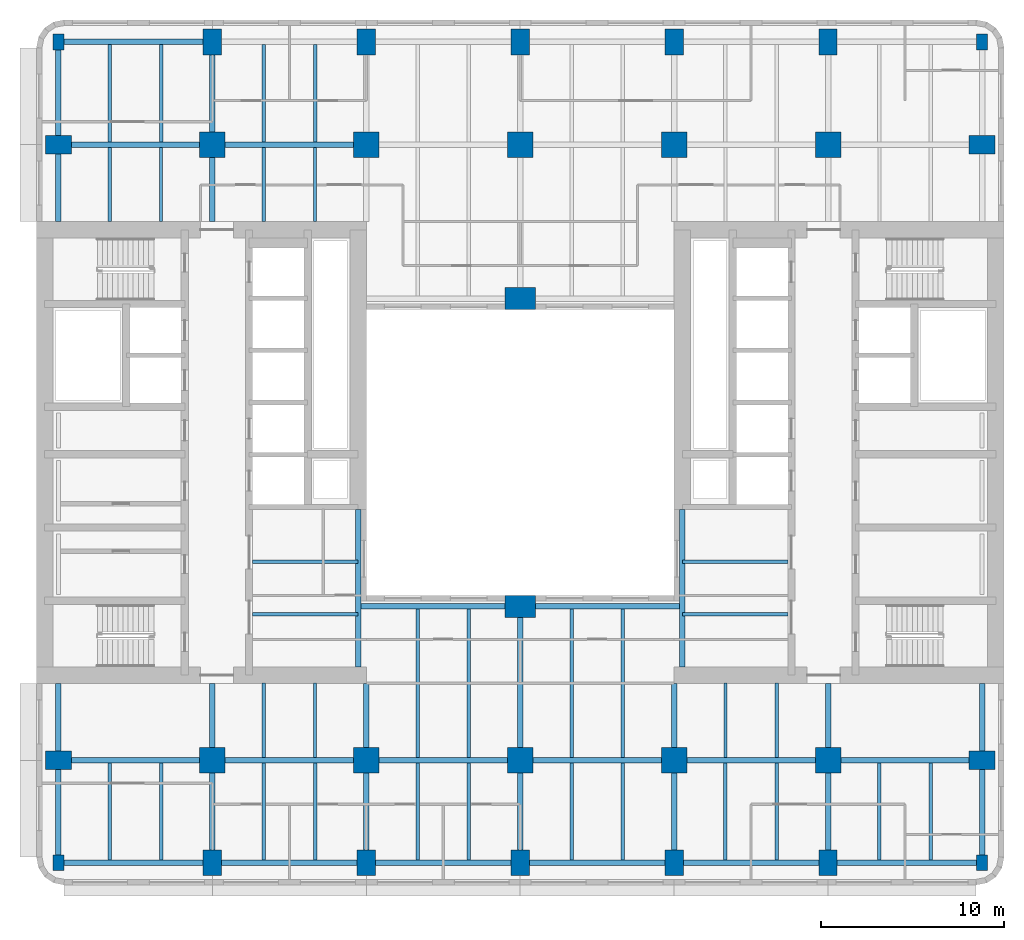
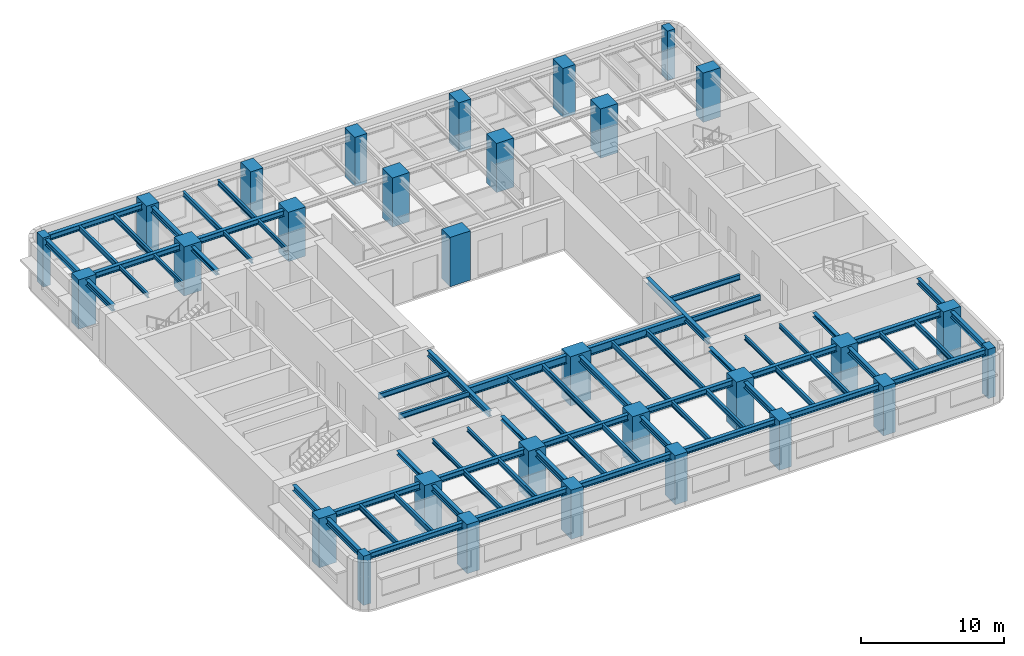
# One storey, part 1 of 11: 69 beams, 30 columns.
"""IFC4 building model written with IfcOpenShell, lengths in metres."""

import ifcopenshell
import ifcopenshell.guid

model = None  # the IFC model being written
_history = None  # IfcOwnerHistory: only IFC2X3 demands one
_inside = {}  # id of a spatial element -> (the spatial element, [elements in it])
_under = {}  # id of a project, library or spatial element -> (it, [spatial elements below it])
_declared = {}  # id of a project -> (the project, [libraries it declares])
_typed = {}  # id of a type object -> (the type object, [elements of that type])
_made_of = {}  # id of a material, layer set ... -> (it, [elements and type objects made of it])


def new_model(schema):
    """Start an empty IFC model of exactly this schema.

    Asked for "IFC4X3", IfcOpenShell would pick the latest addendum, in which some entities
    have other attributes; the version numbers below select the first issue.
    IFC2X3 requires an IfcOwnerHistory on every rooted entity: one is made here for all.
    """
    global model, _history
    if schema == "IFC4X3":
        model = ifcopenshell.file(schema_version=(4, 3, 0, 0))
    else:
        model = ifcopenshell.file(schema=schema)
    _inside.clear()
    _under.clear()
    _declared.clear()
    _typed.clear()
    _made_of.clear()
    _history = None
    if model.schema == "IFC2X3":
        org = make("IfcOrganization", Name="unknown")
        user = make(
            "IfcPersonAndOrganization",
            ThePerson=make("IfcPerson", FamilyName="unknown"),
            TheOrganization=org,
        )
        app = make(
            "IfcApplication",
            ApplicationDeveloper=org,
            Version="unknown",
            ApplicationFullName="unknown",
            ApplicationIdentifier="unknown",
        )
        _history = make(
            "IfcOwnerHistory",
            OwningUser=user,
            OwningApplication=app,
            ChangeAction="ADDED",
            CreationDate=0,
        )
    return model


def make(cls, **values):
    """One entity of the class cls with the attributes given. An attribute that is None is left unset."""
    return model.create_entity(
        cls, **{name: value for name, value in values.items() if value is not None}
    )


def rooted(cls, **values):
    """An entity with a GlobalId (a new one), such as an element, a storey or a relation."""
    return make(cls, GlobalId=ifcopenshell.guid.new(), OwnerHistory=_history, **values)


def si_unit(unit_type, name, prefix=None):
    """IfcSIUnit, for example si_unit("LENGTHUNIT", "METRE", prefix="MILLI")."""
    return make("IfcSIUnit", UnitType=unit_type, Prefix=prefix, Name=name)


def assignment(units):
    """IfcUnitAssignment: the units of a project."""
    return None if units is None else make("IfcUnitAssignment", Units=units)


def point(xyz):
    """IfcCartesianPoint."""
    return None if xyz is None else make("IfcCartesianPoint", Coordinates=xyz)


def direction(xyz):
    """IfcDirection."""
    return None if xyz is None else make("IfcDirection", DirectionRatios=xyz)


def frame(location, z_axis=None, x_axis=None):
    """IfcAxis2Placement3D, a coordinate frame: its origin and axes. An axis left out is left unset."""
    return make(
        "IfcAxis2Placement3D",
        Location=point(location),
        Axis=direction(z_axis),
        RefDirection=direction(x_axis),
    )


def frame_2d(location, x_axis=None):
    """IfcAxis2Placement2D, a coordinate frame in the plane: its origin and x axis."""
    return make(
        "IfcAxis2Placement2D", Location=point(location), RefDirection=direction(x_axis)
    )


def origin():
    """The frame at (0, 0, 0) with its axes left unset."""
    return frame((0.0, 0.0, 0.0))


def origin_2d():
    """The frame at (0, 0) in the plane with its x axis left unset."""
    return frame_2d((0.0, 0.0))


def place(relative_to, where):
    """IfcLocalPlacement: puts the frame where relative to a parent placement (None: the world)."""
    return make(
        "IfcLocalPlacement", PlacementRelTo=relative_to, RelativePlacement=where
    )


def context(
    kind, dimensions, precision=None, world=None, true_north=None, identifier=None
):
    """IfcGeometricRepresentationContext, for example the 3D "Model" context."""
    return make(
        "IfcGeometricRepresentationContext",
        ContextIdentifier=identifier,
        ContextType=kind,
        CoordinateSpaceDimension=dimensions,
        Precision=precision,
        WorldCoordinateSystem=world,
        TrueNorth=true_north,
    )


def subcontext(parent, identifier, kind, view, scale=None):
    """IfcGeometricRepresentationSubContext, for example "Body" below "Model"."""
    return make(
        "IfcGeometricRepresentationSubContext",
        ContextIdentifier=identifier,
        ContextType=kind,
        ParentContext=parent,
        TargetScale=scale,
        TargetView=view,
    )


def project(units=None, contexts=None):
    """IfcProject with its units and contexts."""
    return rooted(
        "IfcProject",
        Name="project",
        RepresentationContexts=contexts,
        UnitsInContext=assignment(units),
    )


def spatial(cls, under=None, at=None, **own):
    """A site, building, storey or space (cls), placed at a placement, below another one or the project."""
    s = rooted(cls, ObjectPlacement=at, **own)
    if under is not None:
        _under.setdefault(under.id(), (under, []))[1].append(s)
    return s


def profile(cls, at=None, kind="AREA", **sizes):
    """A parametric profile (cls). Its sizes go by their IFC names, for example OverallWidth=200.0."""
    return make(cls, ProfileType=kind, Position=at, **sizes)


def rectangle(**sizes):
    """IfcRectangleProfileDef."""
    return profile("IfcRectangleProfileDef", **sizes)


def i_section(**sizes):
    """IfcIShapeProfileDef."""
    return profile("IfcIShapeProfileDef", **sizes)


def extrude(swept, where, along, depth):
    """IfcExtrudedAreaSolid: the profile swept, set in the frame where, extruded along a direction by depth."""
    return make(
        "IfcExtrudedAreaSolid",
        SweptArea=swept,
        Position=where,
        ExtrudedDirection=direction(along),
        Depth=depth,
    )


def shape(context_of_items, identifier, shape_type, items):
    """IfcShapeRepresentation: the items that make up one representation, for example the "Body"."""
    return make(
        "IfcShapeRepresentation",
        ContextOfItems=context_of_items,
        RepresentationIdentifier=identifier,
        RepresentationType=shape_type,
        Items=items,
    )


def material(Name=None, Category=None):
    """IfcMaterial."""
    return make("IfcMaterial", Name=Name, Category=Category)


def material_profile(
    of_material, cross_section, Name=None, Category=None, Priority=None
):
    """IfcMaterialProfile: a cross section and its material."""
    return make(
        "IfcMaterialProfile",
        Name=Name,
        Material=of_material,
        Profile=cross_section,
        Priority=Priority,
        Category=Category,
    )


def profile_set(profiles, Name=None, composite=None):
    """IfcMaterialProfileSet."""
    return make(
        "IfcMaterialProfileSet",
        Name=Name,
        MaterialProfiles=profiles,
        CompositeProfile=composite,
    )


def made_of(thing, what):
    """Note that an element or type object is made of a material, layer set ...; save() writes the relation."""
    if what is not None:
        _made_of.setdefault(what.id(), (what, []))[1].append(thing)
    return thing


def type_object(cls, material=None, **own):
    """A type object (cls), such as IfcWallType, which elements share."""
    return made_of(rooted(cls, **own), material)


def element(
    cls,
    number,
    at=None,
    inside=None,
    cuts=None,
    type_object=None,
    material=None,
    context=None,
    identifier="Body",
    shape_type=None,
    held_by="IfcProductDefinitionShape",
    body=None,
    shapes=None,
    **own,
):
    """One element of the class cls, such as IfcWall. Its Tag is "e" and its number.

    at: its placement. inside: the storey or other place that contains it. cuts: it is an
    opening in that element (IfcRelVoidsElement). A single representation is given by context,
    identifier, shape_type and body (its items); several are given by shapes. held_by: the class
    of the entity that holds the representations. save() writes the other relations.
    """
    e = rooted(cls, Tag="e%d" % number, ObjectPlacement=at, **own)
    if body is not None:
        shapes = [shape(context, identifier, shape_type, body)]
    if shapes is not None:
        e.Representation = make(held_by, Representations=shapes)
    if inside is not None:
        _inside.setdefault(inside.id(), (inside, []))[1].append(e)
    if cuts is not None:
        rooted(
            "IfcRelVoidsElement", RelatingBuildingElement=cuts, RelatedOpeningElement=e
        )
    if type_object is not None:
        _typed.setdefault(type_object.id(), (type_object, []))[1].append(e)
    return made_of(e, material)


def aggregate(whole, parts):
    """IfcRelAggregates: a whole, such as a stair, and the parts it consists of."""
    return rooted("IfcRelAggregates", RelatingObject=whole, RelatedObjects=parts)


def save(model, path):
    """Write the relations noted so far, then the file.

    IfcRelAggregates (storeys below a building ...), IfcRelContainedInSpatialStructure (elements
    in a storey), IfcRelDefinesByType, IfcRelAssociatesMaterial and IfcRelDeclares: one each for
    every whole, place, type object, material and project.
    """
    for whole, parts in _under.values():
        aggregate(whole, parts)
    for where, things in _inside.values():
        rooted(
            "IfcRelContainedInSpatialStructure",
            RelatedElements=things,
            RelatingStructure=where,
        )
    for kind, things in _typed.values():
        rooted("IfcRelDefinesByType", RelatedObjects=things, RelatingType=kind)
    for what, things in _made_of.values():
        rooted("IfcRelAssociatesMaterial", RelatedObjects=things, RelatingMaterial=what)
    for by, libraries in _declared.values():
        rooted("IfcRelDeclares", RelatingContext=by, RelatedDefinitions=libraries)
    model.write(path)


model = new_model("IFC4")

# Units and contexts
model_context = context("Model", 3, precision=1e-05, world=origin(), true_north=direction((0.0, 1.0)))
body_context = subcontext(model_context, "Body", "Model", "MODEL_VIEW")
ifc_project = project(units=[si_unit("LENGTHUNIT", "METRE"), si_unit("AREAUNIT", "SQUARE_METRE"), si_unit("VOLUMEUNIT", "CUBIC_METRE"), si_unit("PLANEANGLEUNIT", "RADIAN"), si_unit("MASSUNIT", "GRAM", prefix="KILO")], contexts=[model_context])

# Site, building, storey
site_placement = place(None, origin())
site = spatial("IfcSite", under=ifc_project, at=site_placement, CompositionType="ELEMENT")
building_placement = place(site_placement, origin())
building = spatial("IfcBuilding", under=site, at=building_placement, Name="Claustro Exchange Tower", CompositionType="ELEMENT")
storey_placement = place(building_placement, frame((0.0, 0.0, 121.800048828125)))
storey = spatial("IfcBuildingStorey", under=building, at=storey_placement, Name="L27", CompositionType="ELEMENT", Elevation=121.800048828125)

# Columns
ifc_material_1 = material(Name="Concrete HA-70 (C70/85)", Category="concrete")
ifc_material_profile_1 = material_profile(ifc_material_1, rectangle(XDim=1.39990234375, YDim=1.39990234375, at=origin_2d()), Name="RC 1400x1400")
ifc_profile_set_1 = profile_set([ifc_material_profile_1], Name="Concrete HA-70 (C70/85)")
column_type_1 = type_object("IfcColumnType", Name="C0 RC 1400x1400 HA-70 column", PredefinedType="COLUMN", material=ifc_profile_set_1)
for number, where, z_axis, x_axis, name in (
    (1, (8.39990234375, 8.39990234375, 0.0), (0.0, 0.0, 1.0), (1.0, 0.0, 0.0), "Column C0 2/B L27"),
    (2, (8.39990234375, 42.0, 0.0), (0.0, 0.0, 1.0), (1.0, 0.0, 0.0), "Column C0 2/F L27"),
    (3, (16.800048828125, 8.39990234375, 0.0), (0.0, 0.0, 1.0), (1.0, 0.0, 0.0), "Column C0 3/B L27"),
    (4, (16.800048828125, 42.0, 0.0), (0.0, 0.0, 1.0), (1.0, 0.0, 0.0), "Column C0 3/F L27"),
    (5, (25.199951171875, 8.39990234375, 0.0), (0.0, 0.0, 1.0), (1.0, 0.0, 0.0), "Column C0 4/B L27"),
    (6, (25.199951171875, 42.0, 0.0), (0.0, 0.0, 1.0), (1.0, 0.0, 0.0), "Column C0 4/F L27"),
    (7, (33.60009765625, 8.39990234375, 0.0), (0.0, 0.0, 1.0), (1.0, 0.0, 0.0), "Column C0 5/B L27"),
    (8, (33.60009765625, 42.0, 0.0), (0.0, 0.0, 1.0), (1.0, 0.0, 0.0), "Column C0 5/F L27"),
    (9, (42.0, 8.39990234375, 0.0), (0.0, 0.0, 1.0), (1.0, 0.0, 0.0), "Column C0 6/B L27"),
    (10, (42.0, 42.0, 0.0), (0.0, 0.0, 1.0), (1.0, 0.0, 0.0), "Column C0 6/F L27"),
):
    element("IfcColumn", number, at=place(storey_placement, frame(where, z_axis=z_axis, x_axis=x_axis)), inside=storey, type_object=column_type_1, Name=name, PredefinedType="COLUMN", context=body_context, shape_type="SweptSolid", body=[
        extrude(rectangle(XDim=1.39990234375, YDim=1.39990234375, at=origin_2d()), origin(), (0.0, 0.0, 1.0), 4.199951171875),
    ])
ifc_material_2 = material(Name="Concrete HA-70 (C70/85)", Category="concrete")
ifc_material_profile_2 = material_profile(ifc_material_2, rectangle(XDim=1.0, YDim=1.39990234375, at=origin_2d()), Name="RC 1000x1400")
ifc_profile_set_2 = profile_set([ifc_material_profile_2], Name="Concrete HA-70 (C70/85)")
column_type_2 = type_object("IfcColumnType", Name="C22 RC 1000x1400 HA-70 perimeter column", PredefinedType="COLUMN", material=ifc_profile_set_2)
for number, where, z_axis, x_axis, name in (
    (11, (0.0, 8.39990234375, 0.0), (0.0, 0.0, 1.0), (0.0, 1.0, 0.0), "Column C22 1/B L27"),
    (12, (0.0, 42.0, 0.0), (0.0, 0.0, 1.0), (0.0, 1.0, 0.0), "Column C22 1/F L27"),
    (13, (8.39990234375, 2.800048828125, 0.0), (0.0, 0.0, 1.0), (1.0, 0.0, 0.0), "Column C22 2/A+2800 L27"),
    (14, (8.39990234375, 47.60009765625, 0.0), (0.0, 0.0, 1.0), (1.0, 0.0, 0.0), "Column C22 2/F+5600 L27"),
    (15, (16.800048828125, 2.800048828125, 0.0), (0.0, 0.0, 1.0), (1.0, 0.0, 0.0), "Column C22 3/A+2800 L27"),
    (16, (16.800048828125, 47.60009765625, 0.0), (0.0, 0.0, 1.0), (1.0, 0.0, 0.0), "Column C22 3/F+5600 L27"),
    (17, (25.199951171875, 2.800048828125, 0.0), (0.0, 0.0, 1.0), (1.0, 0.0, 0.0), "Column C22 4/A+2800 L27"),
    (18, (25.199951171875, 47.60009765625, 0.0), (0.0, 0.0, 1.0), (1.0, 0.0, 0.0), "Column C22 4/F+5600 L27"),
    (19, (33.60009765625, 2.800048828125, 0.0), (0.0, 0.0, 1.0), (1.0, 0.0, 0.0), "Column C22 5/A+2800 L27"),
    (20, (33.60009765625, 47.60009765625, 0.0), (0.0, 0.0, 1.0), (1.0, 0.0, 0.0), "Column C22 5/F+5600 L27"),
    (21, (42.0, 2.800048828125, 0.0), (0.0, 0.0, 1.0), (1.0, 0.0, 0.0), "Column C22 6/A+2800 L27"),
    (22, (42.0, 47.60009765625, 0.0), (0.0, 0.0, 1.0), (1.0, 0.0, 0.0), "Column C22 6/F+5600 L27"),
    (23, (50.39990234375, 8.39990234375, 0.0), (0.0, 0.0, 1.0), (0.0, 1.0, 0.0), "Column C22 7/B L27"),
    (24, (50.39990234375, 42.0, 0.0), (0.0, 0.0, 1.0), (0.0, 1.0, 0.0), "Column C22 7/F L27"),
):
    element("IfcColumn", number, at=place(storey_placement, frame(where, z_axis=z_axis, x_axis=x_axis)), inside=storey, type_object=column_type_2, Name=name, PredefinedType="COLUMN", context=body_context, shape_type="SweptSolid", body=[
        extrude(rectangle(XDim=1.0, YDim=1.39990234375, at=origin_2d()), origin(), (0.0, 0.0, 1.0), 4.199951171875),
    ])
ifc_material_3 = material(Name="Concrete HA-50 (C50/60)", Category="concrete")
ifc_material_profile_3 = material_profile(ifc_material_3, rectangle(XDim=0.60009765625, YDim=0.85009765625, at=origin_2d()), Name="RC 600x850")
ifc_profile_set_3 = profile_set([ifc_material_profile_3], Name="Concrete HA-50 (C50/60)")
column_type_3 = type_object("IfcColumnType", Name="C25 RC 600x850 HA-50 corner column", PredefinedType="COLUMN", material=ifc_profile_set_3)
for number, where, z_axis, x_axis, name in (
    (25, (0.0, 2.800048828125, 0.0), (0.0, 0.0, 1.0), (1.0, 0.0, 0.0), "Column C25 1/A+2800 L27"),
    (26, (0.0, 47.60009765625, 0.0), (0.0, 0.0, 1.0), (1.0, 0.0, 0.0), "Column C25 1/F+5600 L27"),
    (27, (50.39990234375, 2.800048828125, 0.0), (0.0, 0.0, 1.0), (1.0, 0.0, 0.0), "Column C25 7/A+2800 L27"),
    (28, (50.39990234375, 47.60009765625, 0.0), (0.0, 0.0, 1.0), (1.0, 0.0, 0.0), "Column C25 7/F+5600 L27"),
):
    element("IfcColumn", number, at=place(storey_placement, frame(where, z_axis=z_axis, x_axis=x_axis)), inside=storey, type_object=column_type_3, Name=name, PredefinedType="COLUMN", context=body_context, shape_type="SweptSolid", body=[
        extrude(rectangle(XDim=0.60009765625, YDim=0.85009765625, at=origin_2d()), origin(), (0.0, 0.0, 1.0), 4.199951171875),
    ])
ifc_material_4 = material(Name="Concrete HA-70 (C70/85)", Category="concrete")
ifc_material_profile_4 = material_profile(ifc_material_4, rectangle(XDim=1.64990234375, YDim=1.199951171875, at=origin_2d()), Name="RC 1650x1200")
ifc_profile_set_4 = profile_set([ifc_material_profile_4], Name="Concrete HA-70 (C70/85)")
column_type_4 = type_object("IfcColumnType", Name="C32 RC 1650x1200 HA-70 light well column", PredefinedType="COLUMN", material=ifc_profile_set_4)
for number, where, z_axis, x_axis, name in (
    (29, (25.199951171875, 16.800048828125, 0.0), (0.0, 0.0, 1.0), (1.0, 0.0, 0.0), "Column C32 4/C L27"),
    (30, (25.199951171875, 33.60009765625, 0.0), (0.0, 0.0, 1.0), (1.0, 0.0, 0.0), "Column C32 4/E L27"),
):
    element("IfcColumn", number, at=place(storey_placement, frame(where, z_axis=z_axis, x_axis=x_axis)), inside=storey, type_object=column_type_4, Name=name, PredefinedType="COLUMN", context=body_context, shape_type="SweptSolid", body=[
        extrude(rectangle(XDim=1.64990234375, YDim=1.199951171875, at=origin_2d()), origin(), (0.0, 0.0, 1.0), 4.199951171875),
    ])

# Beams
ifc_material_5 = material(Name="Steel S355", Category="steel")
ifc_material_profile_5 = material_profile(ifc_material_5, i_section(OverallWidth=0.300048828125, OverallDepth=0.68994140625, WebThickness=0.014404296875, FlangeThickness=0.027099609375, FilletRadius=0.027099609375, at=origin_2d()), Name="HE 700 A")
ifc_profile_set_5 = profile_set([ifc_material_profile_5], Name="Steel S355")
beam_type_1 = type_object("IfcBeamType", Name="B13 HE 700 A light well edge girder", PredefinedType="BEAM", material=ifc_profile_set_5)
beam_1_placement = place(storey_placement, frame((16.35009765625, 16.800048828125, 3.704833984375), z_axis=(1.0, 0.0, 0.0), x_axis=(0.0, 1.0, 0.0)))
element("IfcBeam", 31, at=beam_1_placement, inside=storey, type_object=beam_type_1, Name="Beam B13 L28", PredefinedType="BEAM", context=body_context, shape_type="SweptSolid", body=[
    extrude(i_section(OverallWidth=0.300048828125, OverallDepth=0.68994140625, WebThickness=0.014404296875, FlangeThickness=0.027099609375, FilletRadius=0.027099609375, at=origin_2d()), origin(), (0.0, 0.0, 1.0), 8.849853515625),
])
beam_2_placement = place(storey_placement, frame((25.199951171875, 16.800048828125, 3.704833984375), z_axis=(1.0, 0.0, 0.0), x_axis=(0.0, 1.0, 0.0)))
element("IfcBeam", 32, at=beam_2_placement, inside=storey, type_object=beam_type_1, Name="Beam B13 L28", PredefinedType="BEAM", context=body_context, shape_type="SweptSolid", body=[
    extrude(i_section(OverallWidth=0.300048828125, OverallDepth=0.68994140625, WebThickness=0.014404296875, FlangeThickness=0.027099609375, FilletRadius=0.027099609375, at=origin_2d()), origin(), (0.0, 0.0, 1.0), 8.85009765625),
])
ifc_material_6 = material(Name="Steel S355", Category="steel")
ifc_material_profile_6 = material_profile(ifc_material_6, i_section(OverallWidth=0.169921875, OverallDepth=0.360107421875, WebThickness=0.008056640625, FlangeThickness=0.0126953125, FilletRadius=0.01806640625, at=origin_2d()), Name="IPE 360")
ifc_profile_set_6 = profile_set([ifc_material_profile_6], Name="Steel S355")
beam_type_2 = type_object("IfcBeamType", Name="B16 IPE 360 short-span beam", PredefinedType="BEAM", material=ifc_profile_set_6)
for number, where, z_axis, x_axis, name in (
    (33, (2.800048828125, 37.7900390625, 3.869873046875), (0.0, 1.0, 0.0), (-1.0, 0.0, 0.0), "Beam B16 L28"),
    (34, (5.60009765625, 37.7900390625, 3.869873046875), (0.0, 1.0, 0.0), (-1.0, 0.0, 0.0), "Beam B16 L28"),
    (35, (11.199951171875, 8.550048828125, 3.869873046875), (0.0, 1.0, 0.0), (-1.0, 0.0, 0.0), "Beam B16 L28"),
    (36, (14.0, 8.550048828125, 3.869873046875), (0.0, 1.0, 0.0), (-1.0, 0.0, 0.0), "Beam B16 L28"),
    (37, (11.199951171875, 37.7900390625, 3.869873046875), (0.0, 1.0, 0.0), (-1.0, 0.0, 0.0), "Beam B16 L28"),
    (38, (14.0, 37.7900390625, 3.869873046875), (0.0, 1.0, 0.0), (-1.0, 0.0, 0.0), "Beam B16 L28"),
    (39, (36.39990234375, 8.550048828125, 3.869873046875), (0.0, 1.0, 0.0), (-1.0, 0.0, 0.0), "Beam B16 L28"),
    (40, (39.199951171875, 8.550048828125, 3.869873046875), (0.0, 1.0, 0.0), (-1.0, 0.0, 0.0), "Beam B16 L28"),
):
    element("IfcBeam", number, at=place(storey_placement, frame(where, z_axis=z_axis, x_axis=x_axis)), inside=storey, type_object=beam_type_2, Name=name, PredefinedType="BEAM", context=body_context, shape_type="SweptSolid", body=[
        extrude(i_section(OverallWidth=0.169921875, OverallDepth=0.360107421875, WebThickness=0.008056640625, FlangeThickness=0.0126953125, FilletRadius=0.01806640625, at=origin_2d()), origin(), (0.0, 0.0, 1.0), 4.06005859375),
    ])
ifc_material_7 = material(Name="Steel S355", Category="steel")
ifc_material_profile_7 = material_profile(ifc_material_7, i_section(OverallWidth=0.300048828125, OverallDepth=0.360107421875, WebThickness=0.012451171875, FlangeThickness=0.0224609375, FilletRadius=0.027099609375, at=origin_2d()), Name="HE 360 B")
ifc_profile_set_7 = profile_set([ifc_material_profile_7], Name="Steel S355")
beam_type_3 = type_object("IfcBeamType", Name="B29 HE 360 B column to core link beam", PredefinedType="BEAM", material=ifc_profile_set_7)
beam_3_placement = place(storey_placement, frame((8.39990234375, 8.39990234375, 3.869873046875), z_axis=(0.0, 1.0, 0.0), x_axis=(-1.0, 0.0, 0.0)))
element("IfcBeam", 41, at=beam_3_placement, inside=storey, type_object=beam_type_3, Name="Beam B29 L28", PredefinedType="BEAM", context=body_context, shape_type="SweptSolid", body=[
    extrude(i_section(OverallWidth=0.300048828125, OverallDepth=0.360107421875, WebThickness=0.012451171875, FlangeThickness=0.0224609375, FilletRadius=0.027099609375, at=origin_2d()), origin(), (0.0, 0.0, 1.0), 4.2001953125),
])
beam_4_placement = place(storey_placement, frame((8.39990234375, 37.800048828125, 3.869873046875), z_axis=(0.0, 1.0, 0.0), x_axis=(-1.0, 0.0, 0.0)))
element("IfcBeam", 42, at=beam_4_placement, inside=storey, type_object=beam_type_3, Name="Beam B29 L28", PredefinedType="BEAM", context=body_context, shape_type="SweptSolid", body=[
    extrude(i_section(OverallWidth=0.300048828125, OverallDepth=0.360107421875, WebThickness=0.012451171875, FlangeThickness=0.0224609375, FilletRadius=0.027099609375, at=origin_2d()), origin(), (0.0, 0.0, 1.0), 4.199951171875),
])
for number, where, z_axis, x_axis, name in (
    (43, (16.800048828125, 8.39990234375, 3.869873046875), (0.0, 1.0, 0.0), (-1.0, 0.0, 0.0), "Beam B29 L28"),
    (44, (33.60009765625, 8.39990234375, 3.869873046875), (0.0, 1.0, 0.0), (-1.0, 0.0, 0.0), "Beam B29 L28"),
    (45, (42.0, 8.39990234375, 3.869873046875), (0.0, 1.0, 0.0), (-1.0, 0.0, 0.0), "Beam B29 L28"),
):
    element("IfcBeam", number, at=place(storey_placement, frame(where, z_axis=z_axis, x_axis=x_axis)), inside=storey, type_object=beam_type_3, Name=name, PredefinedType="BEAM", context=body_context, shape_type="SweptSolid", body=[
        extrude(i_section(OverallWidth=0.300048828125, OverallDepth=0.360107421875, WebThickness=0.012451171875, FlangeThickness=0.0224609375, FilletRadius=0.027099609375, at=origin_2d()), origin(), (0.0, 0.0, 1.0), 4.2001953125),
    ])
ifc_material_8 = material(Name="Steel S355", Category="steel")
ifc_material_profile_8 = material_profile(ifc_material_8, i_section(OverallWidth=0.300048828125, OverallDepth=0.5, WebThickness=0.014404296875, FlangeThickness=0.028076171875, FilletRadius=0.027099609375, at=origin_2d()), Name="HE 500 B")
ifc_profile_set_8 = profile_set([ifc_material_profile_8], Name="Steel S355")
beam_type_4 = type_object("IfcBeamType", Name="B7 HE 500 B floor girder", PredefinedType="BEAM", material=ifc_profile_set_8)
beam_5_placement = place(storey_placement, frame((8.39990234375, 2.800048828125, 3.800048828125), z_axis=(0.0, 1.0, 0.0), x_axis=(-1.0, 0.0, 0.0)))
element("IfcBeam", 46, at=beam_5_placement, inside=storey, type_object=beam_type_4, Name="Beam B7 L28", PredefinedType="BEAM", context=body_context, shape_type="SweptSolid", body=[
    extrude(i_section(OverallWidth=0.300048828125, OverallDepth=0.5, WebThickness=0.014404296875, FlangeThickness=0.028076171875, FilletRadius=0.027099609375, at=origin_2d()), origin(), (0.0, 0.0, 1.0), 5.599853515625),
])
beam_6_placement = place(storey_placement, frame((8.39990234375, 42.0, 3.800048828125), z_axis=(0.0, 1.0, 0.0), x_axis=(-1.0, 0.0, 0.0)))
element("IfcBeam", 47, at=beam_6_placement, inside=storey, type_object=beam_type_4, Name="Beam B7 L28", PredefinedType="BEAM", context=body_context, shape_type="SweptSolid", body=[
    extrude(i_section(OverallWidth=0.300048828125, OverallDepth=0.5, WebThickness=0.014404296875, FlangeThickness=0.028076171875, FilletRadius=0.027099609375, at=origin_2d()), origin(), (0.0, 0.0, 1.0), 5.60009765625),
])
for number, where, z_axis, x_axis, name in (
    (48, (16.800048828125, 2.800048828125, 3.800048828125), (0.0, 1.0, 0.0), (-1.0, 0.0, 0.0), "Beam B7 L28"),
    (49, (25.199951171875, 2.800048828125, 3.800048828125), (0.0, 1.0, 0.0), (-1.0, 0.0, 0.0), "Beam B7 L28"),
):
    element("IfcBeam", number, at=place(storey_placement, frame(where, z_axis=z_axis, x_axis=x_axis)), inside=storey, type_object=beam_type_4, Name=name, PredefinedType="BEAM", context=body_context, shape_type="SweptSolid", body=[
        extrude(i_section(OverallWidth=0.300048828125, OverallDepth=0.5, WebThickness=0.014404296875, FlangeThickness=0.028076171875, FilletRadius=0.027099609375, at=origin_2d()), origin(), (0.0, 0.0, 1.0), 5.599853515625),
    ])
beam_7_placement = place(storey_placement, frame((25.199951171875, 8.39990234375, 3.800048828125), z_axis=(0.0, 1.0, 0.0), x_axis=(-1.0, 0.0, 0.0)))
element("IfcBeam", 50, at=beam_7_placement, inside=storey, type_object=beam_type_4, Name="Beam B7 L28", PredefinedType="BEAM", context=body_context, shape_type="SweptSolid", body=[
    extrude(i_section(OverallWidth=0.300048828125, OverallDepth=0.5, WebThickness=0.014404296875, FlangeThickness=0.028076171875, FilletRadius=0.027099609375, at=origin_2d()), origin(), (0.0, 0.0, 1.0), 8.400146484375),
])
for number, where, z_axis, x_axis, name in (
    (51, (33.60009765625, 2.800048828125, 3.800048828125), (0.0, 1.0, 0.0), (-1.0, 0.0, 0.0), "Beam B7 L28"),
    (52, (42.0, 2.800048828125, 3.800048828125), (0.0, 1.0, 0.0), (-1.0, 0.0, 0.0), "Beam B7 L28"),
):
    element("IfcBeam", number, at=place(storey_placement, frame(where, z_axis=z_axis, x_axis=x_axis)), inside=storey, type_object=beam_type_4, Name=name, PredefinedType="BEAM", context=body_context, shape_type="SweptSolid", body=[
        extrude(i_section(OverallWidth=0.300048828125, OverallDepth=0.5, WebThickness=0.014404296875, FlangeThickness=0.028076171875, FilletRadius=0.027099609375, at=origin_2d()), origin(), (0.0, 0.0, 1.0), 5.599853515625),
    ])
beam_8_placement = place(storey_placement, frame((0.0, 8.39990234375, 3.800048828125), z_axis=(1.0, 0.0, 0.0), x_axis=(0.0, 1.0, 0.0)))
element("IfcBeam", 53, at=beam_8_placement, inside=storey, type_object=beam_type_4, Name="Beam B7 L28", PredefinedType="BEAM", context=body_context, shape_type="SweptSolid", body=[
    extrude(i_section(OverallWidth=0.300048828125, OverallDepth=0.5, WebThickness=0.014404296875, FlangeThickness=0.028076171875, FilletRadius=0.027099609375, at=origin_2d()), origin(), (0.0, 0.0, 1.0), 8.39990234375),
])
beam_9_placement = place(storey_placement, frame((8.39990234375, 8.39990234375, 3.800048828125), z_axis=(1.0, 0.0, 0.0), x_axis=(0.0, 1.0, 0.0)))
element("IfcBeam", 54, at=beam_9_placement, inside=storey, type_object=beam_type_4, Name="Beam B7 L28", PredefinedType="BEAM", context=body_context, shape_type="SweptSolid", body=[
    extrude(i_section(OverallWidth=0.300048828125, OverallDepth=0.5, WebThickness=0.014404296875, FlangeThickness=0.028076171875, FilletRadius=0.027099609375, at=origin_2d()), origin(), (0.0, 0.0, 1.0), 8.400146484375),
])
beam_10_placement = place(storey_placement, frame((16.800048828125, 8.39990234375, 3.800048828125), z_axis=(1.0, 0.0, 0.0), x_axis=(0.0, 1.0, 0.0)))
element("IfcBeam", 55, at=beam_10_placement, inside=storey, type_object=beam_type_4, Name="Beam B7 L28", PredefinedType="BEAM", context=body_context, shape_type="SweptSolid", body=[
    extrude(i_section(OverallWidth=0.300048828125, OverallDepth=0.5, WebThickness=0.014404296875, FlangeThickness=0.028076171875, FilletRadius=0.027099609375, at=origin_2d()), origin(), (0.0, 0.0, 1.0), 8.39990234375),
])
beam_11_placement = place(storey_placement, frame((25.199951171875, 8.39990234375, 3.800048828125), z_axis=(1.0, 0.0, 0.0), x_axis=(0.0, 1.0, 0.0)))
element("IfcBeam", 56, at=beam_11_placement, inside=storey, type_object=beam_type_4, Name="Beam B7 L28", PredefinedType="BEAM", context=body_context, shape_type="SweptSolid", body=[
    extrude(i_section(OverallWidth=0.300048828125, OverallDepth=0.5, WebThickness=0.014404296875, FlangeThickness=0.028076171875, FilletRadius=0.027099609375, at=origin_2d()), origin(), (0.0, 0.0, 1.0), 8.400146484375),
])
for number, where, z_axis, x_axis, name in (
    (57, (33.60009765625, 8.39990234375, 3.800048828125), (1.0, 0.0, 0.0), (0.0, 1.0, 0.0), "Beam B7 L28"),
    (58, (42.0, 8.39990234375, 3.800048828125), (1.0, 0.0, 0.0), (0.0, 1.0, 0.0), "Beam B7 L28"),
    (59, (0.0, 42.0, 3.800048828125), (1.0, 0.0, 0.0), (0.0, 1.0, 0.0), "Beam B7 L28"),
):
    element("IfcBeam", number, at=place(storey_placement, frame(where, z_axis=z_axis, x_axis=x_axis)), inside=storey, type_object=beam_type_4, Name=name, PredefinedType="BEAM", context=body_context, shape_type="SweptSolid", body=[
        extrude(i_section(OverallWidth=0.300048828125, OverallDepth=0.5, WebThickness=0.014404296875, FlangeThickness=0.028076171875, FilletRadius=0.027099609375, at=origin_2d()), origin(), (0.0, 0.0, 1.0), 8.39990234375),
    ])
beam_12_placement = place(storey_placement, frame((8.39990234375, 42.0, 3.800048828125), z_axis=(1.0, 0.0, 0.0), x_axis=(0.0, 1.0, 0.0)))
element("IfcBeam", 60, at=beam_12_placement, inside=storey, type_object=beam_type_4, Name="Beam B7 L28", PredefinedType="BEAM", context=body_context, shape_type="SweptSolid", body=[
    extrude(i_section(OverallWidth=0.300048828125, OverallDepth=0.5, WebThickness=0.014404296875, FlangeThickness=0.028076171875, FilletRadius=0.027099609375, at=origin_2d()), origin(), (0.0, 0.0, 1.0), 8.400146484375),
])
for number, where, z_axis, x_axis, name in (
    (61, (16.35009765625, 13.5, 3.800048828125), (0.0, 1.0, 0.0), (-1.0, 0.0, 0.0), "Beam B7 core step framing L28"),
    (62, (34.050048828125, 13.5, 3.800048828125), (0.0, 1.0, 0.0), (-1.0, 0.0, 0.0), "Beam B7 core step framing L28"),
):
    element("IfcBeam", number, at=place(storey_placement, frame(where, z_axis=z_axis, x_axis=x_axis)), inside=storey, type_object=beam_type_4, Name=name, PredefinedType="BEAM", context=body_context, shape_type="SweptSolid", body=[
        extrude(i_section(OverallWidth=0.300048828125, OverallDepth=0.5, WebThickness=0.014404296875, FlangeThickness=0.028076171875, FilletRadius=0.027099609375, at=origin_2d()), origin(), (0.0, 0.0, 1.0), 8.60009765625),
    ])
ifc_material_9 = material(Name="Steel S355", Category="steel")
ifc_material_profile_9 = material_profile(ifc_material_9, i_section(OverallWidth=0.18994140625, OverallDepth=0.449951171875, WebThickness=0.009521484375, FlangeThickness=0.0146484375, FilletRadius=0.02099609375, at=origin_2d()), Name="IPE 450")
ifc_profile_set_9 = profile_set([ifc_material_profile_9], Name="Steel S355")
beam_type_5 = type_object("IfcBeamType", Name="B8 IPE 450 secondary beam", PredefinedType="BEAM", material=ifc_profile_set_9)
for number, where, z_axis, x_axis, name in (
    (63, (2.800048828125, 2.949951171875, 3.824951171875), (0.0, 1.0, 0.0), (-1.0, 0.0, 0.0), "Beam B8 L28"),
    (64, (5.60009765625, 2.949951171875, 3.824951171875), (0.0, 1.0, 0.0), (-1.0, 0.0, 0.0), "Beam B8 L28"),
    (65, (2.800048828125, 42.14990234375, 3.824951171875), (0.0, 1.0, 0.0), (-1.0, 0.0, 0.0), "Beam B8 L28"),
    (66, (5.60009765625, 42.14990234375, 3.824951171875), (0.0, 1.0, 0.0), (-1.0, 0.0, 0.0), "Beam B8 L28"),
    (67, (11.199951171875, 2.949951171875, 3.824951171875), (0.0, 1.0, 0.0), (-1.0, 0.0, 0.0), "Beam B8 L28"),
    (68, (14.0, 2.949951171875, 3.824951171875), (0.0, 1.0, 0.0), (-1.0, 0.0, 0.0), "Beam B8 L28"),
    (69, (11.199951171875, 42.14990234375, 3.824951171875), (0.0, 1.0, 0.0), (-1.0, 0.0, 0.0), "Beam B8 L28"),
    (70, (14.0, 42.14990234375, 3.824951171875), (0.0, 1.0, 0.0), (-1.0, 0.0, 0.0), "Beam B8 L28"),
    (71, (19.60009765625, 2.949951171875, 3.824951171875), (0.0, 1.0, 0.0), (-1.0, 0.0, 0.0), "Beam B8 L28"),
    (72, (22.39990234375, 2.949951171875, 3.824951171875), (0.0, 1.0, 0.0), (-1.0, 0.0, 0.0), "Beam B8 L28"),
):
    element("IfcBeam", number, at=place(storey_placement, frame(where, z_axis=z_axis, x_axis=x_axis)), inside=storey, type_object=beam_type_5, Name=name, PredefinedType="BEAM", context=body_context, shape_type="SweptSolid", body=[
        extrude(i_section(OverallWidth=0.18994140625, OverallDepth=0.449951171875, WebThickness=0.009521484375, FlangeThickness=0.0146484375, FilletRadius=0.02099609375, at=origin_2d()), origin(), (0.0, 0.0, 1.0), 5.300048828125),
    ])
for number, where, z_axis, x_axis, name in (
    (73, (19.60009765625, 8.550048828125, 3.824951171875), (0.0, 1.0, 0.0), (-1.0, 0.0, 0.0), "Beam B8 L28"),
    (74, (22.39990234375, 8.550048828125, 3.824951171875), (0.0, 1.0, 0.0), (-1.0, 0.0, 0.0), "Beam B8 L28"),
):
    element("IfcBeam", number, at=place(storey_placement, frame(where, z_axis=z_axis, x_axis=x_axis)), inside=storey, type_object=beam_type_5, Name=name, PredefinedType="BEAM", context=body_context, shape_type="SweptSolid", body=[
        extrude(i_section(OverallWidth=0.18994140625, OverallDepth=0.449951171875, WebThickness=0.009521484375, FlangeThickness=0.0146484375, FilletRadius=0.02099609375, at=origin_2d()), origin(), (0.0, 0.0, 1.0), 8.099853515625),
    ])
for number, where, z_axis, x_axis, name in (
    (75, (28.0, 2.949951171875, 3.824951171875), (0.0, 1.0, 0.0), (-1.0, 0.0, 0.0), "Beam B8 L28"),
    (76, (30.800048828125, 2.949951171875, 3.824951171875), (0.0, 1.0, 0.0), (-1.0, 0.0, 0.0), "Beam B8 L28"),
):
    element("IfcBeam", number, at=place(storey_placement, frame(where, z_axis=z_axis, x_axis=x_axis)), inside=storey, type_object=beam_type_5, Name=name, PredefinedType="BEAM", context=body_context, shape_type="SweptSolid", body=[
        extrude(i_section(OverallWidth=0.18994140625, OverallDepth=0.449951171875, WebThickness=0.009521484375, FlangeThickness=0.0146484375, FilletRadius=0.02099609375, at=origin_2d()), origin(), (0.0, 0.0, 1.0), 5.300048828125),
    ])
for number, where, z_axis, x_axis, name in (
    (77, (28.0, 8.550048828125, 3.824951171875), (0.0, 1.0, 0.0), (-1.0, 0.0, 0.0), "Beam B8 L28"),
    (78, (30.800048828125, 8.550048828125, 3.824951171875), (0.0, 1.0, 0.0), (-1.0, 0.0, 0.0), "Beam B8 L28"),
):
    element("IfcBeam", number, at=place(storey_placement, frame(where, z_axis=z_axis, x_axis=x_axis)), inside=storey, type_object=beam_type_5, Name=name, PredefinedType="BEAM", context=body_context, shape_type="SweptSolid", body=[
        extrude(i_section(OverallWidth=0.18994140625, OverallDepth=0.449951171875, WebThickness=0.009521484375, FlangeThickness=0.0146484375, FilletRadius=0.02099609375, at=origin_2d()), origin(), (0.0, 0.0, 1.0), 8.099853515625),
    ])
for number, where, z_axis, x_axis, name in (
    (79, (36.39990234375, 2.949951171875, 3.824951171875), (0.0, 1.0, 0.0), (-1.0, 0.0, 0.0), "Beam B8 L28"),
    (80, (39.199951171875, 2.949951171875, 3.824951171875), (0.0, 1.0, 0.0), (-1.0, 0.0, 0.0), "Beam B8 L28"),
    (81, (44.800048828125, 2.949951171875, 3.824951171875), (0.0, 1.0, 0.0), (-1.0, 0.0, 0.0), "Beam B8 L28"),
    (82, (47.60009765625, 2.949951171875, 3.824951171875), (0.0, 1.0, 0.0), (-1.0, 0.0, 0.0), "Beam B8 L28"),
):
    element("IfcBeam", number, at=place(storey_placement, frame(where, z_axis=z_axis, x_axis=x_axis)), inside=storey, type_object=beam_type_5, Name=name, PredefinedType="BEAM", context=body_context, shape_type="SweptSolid", body=[
        extrude(i_section(OverallWidth=0.18994140625, OverallDepth=0.449951171875, WebThickness=0.009521484375, FlangeThickness=0.0146484375, FilletRadius=0.02099609375, at=origin_2d()), origin(), (0.0, 0.0, 1.0), 5.300048828125),
    ])
for number, where, z_axis, x_axis, name in (
    (83, (10.60009765625, 16.36669921875, 3.824951171875), (1.0, 0.0, 0.0), (0.0, 1.0, 0.0), "Beam B8 core step framing L28"),
    (84, (10.60009765625, 19.2333984375, 3.824951171875), (1.0, 0.0, 0.0), (0.0, 1.0, 0.0), "Beam B8 core step framing L28"),
    (85, (34.050048828125, 16.36669921875, 3.824951171875), (1.0, 0.0, 0.0), (0.0, 1.0, 0.0), "Beam B8 core step framing L28"),
    (86, (34.050048828125, 19.2333984375, 3.824951171875), (1.0, 0.0, 0.0), (0.0, 1.0, 0.0), "Beam B8 core step framing L28"),
):
    element("IfcBeam", number, at=place(storey_placement, frame(where, z_axis=z_axis, x_axis=x_axis)), inside=storey, type_object=beam_type_5, Name=name, PredefinedType="BEAM", context=body_context, shape_type="SweptSolid", body=[
        extrude(i_section(OverallWidth=0.18994140625, OverallDepth=0.449951171875, WebThickness=0.009521484375, FlangeThickness=0.0146484375, FilletRadius=0.02099609375, at=origin_2d()), origin(), (0.0, 0.0, 1.0), 5.75),
    ])
ifc_material_10 = material(Name="Steel S355", Category="steel")
ifc_material_profile_10 = material_profile(ifc_material_10, i_section(OverallWidth=0.300048828125, OverallDepth=0.489990234375, WebThickness=0.011962890625, FlangeThickness=0.02294921875, FilletRadius=0.027099609375, at=origin_2d()), Name="HE 500 A")
ifc_profile_set_10 = profile_set([ifc_material_profile_10], Name="Steel S355")
beam_type_6 = type_object("IfcBeamType", Name="B9 HE 500 A spandrel edge girder", PredefinedType="SPANDREL", material=ifc_profile_set_10)
beam_13_placement = place(storey_placement, frame((0.0, 2.800048828125, 3.804931640625), z_axis=(0.0, 1.0, 0.0), x_axis=(-1.0, 0.0, 0.0)))
element("IfcBeam", 87, at=beam_13_placement, inside=storey, type_object=beam_type_6, Name="Beam B9 L28", PredefinedType="SPANDREL", context=body_context, shape_type="SweptSolid", body=[
    extrude(i_section(OverallWidth=0.300048828125, OverallDepth=0.489990234375, WebThickness=0.011962890625, FlangeThickness=0.02294921875, FilletRadius=0.027099609375, at=origin_2d()), origin(), (0.0, 0.0, 1.0), 5.599853515625),
])
beam_14_placement = place(storey_placement, frame((0.0, 8.39990234375, 3.804931640625), z_axis=(0.0, 1.0, 0.0), x_axis=(-1.0, 0.0, 0.0)))
element("IfcBeam", 88, at=beam_14_placement, inside=storey, type_object=beam_type_6, Name="Beam B9 L28", PredefinedType="SPANDREL", context=body_context, shape_type="SweptSolid", body=[
    extrude(i_section(OverallWidth=0.300048828125, OverallDepth=0.489990234375, WebThickness=0.011962890625, FlangeThickness=0.02294921875, FilletRadius=0.027099609375, at=origin_2d()), origin(), (0.0, 0.0, 1.0), 4.2001953125),
])
beam_15_placement = place(storey_placement, frame((0.0, 37.800048828125, 3.804931640625), z_axis=(0.0, 1.0, 0.0), x_axis=(-1.0, 0.0, 0.0)))
element("IfcBeam", 89, at=beam_15_placement, inside=storey, type_object=beam_type_6, Name="Beam B9 L28", PredefinedType="SPANDREL", context=body_context, shape_type="SweptSolid", body=[
    extrude(i_section(OverallWidth=0.300048828125, OverallDepth=0.489990234375, WebThickness=0.011962890625, FlangeThickness=0.02294921875, FilletRadius=0.027099609375, at=origin_2d()), origin(), (0.0, 0.0, 1.0), 4.199951171875),
])
beam_16_placement = place(storey_placement, frame((0.0, 42.0, 3.804931640625), z_axis=(0.0, 1.0, 0.0), x_axis=(-1.0, 0.0, 0.0)))
element("IfcBeam", 90, at=beam_16_placement, inside=storey, type_object=beam_type_6, Name="Beam B9 L28", PredefinedType="SPANDREL", context=body_context, shape_type="SweptSolid", body=[
    extrude(i_section(OverallWidth=0.300048828125, OverallDepth=0.489990234375, WebThickness=0.011962890625, FlangeThickness=0.02294921875, FilletRadius=0.027099609375, at=origin_2d()), origin(), (0.0, 0.0, 1.0), 5.60009765625),
])
beam_17_placement = place(storey_placement, frame((50.39990234375, 2.800048828125, 3.804931640625), z_axis=(0.0, 1.0, 0.0), x_axis=(-1.0, 0.0, 0.0)))
element("IfcBeam", 91, at=beam_17_placement, inside=storey, type_object=beam_type_6, Name="Beam B9 L28", PredefinedType="SPANDREL", context=body_context, shape_type="SweptSolid", body=[
    extrude(i_section(OverallWidth=0.300048828125, OverallDepth=0.489990234375, WebThickness=0.011962890625, FlangeThickness=0.02294921875, FilletRadius=0.027099609375, at=origin_2d()), origin(), (0.0, 0.0, 1.0), 5.599853515625),
])
beam_18_placement = place(storey_placement, frame((50.39990234375, 8.39990234375, 3.804931640625), z_axis=(0.0, 1.0, 0.0), x_axis=(-1.0, 0.0, 0.0)))
element("IfcBeam", 92, at=beam_18_placement, inside=storey, type_object=beam_type_6, Name="Beam B9 L28", PredefinedType="SPANDREL", context=body_context, shape_type="SweptSolid", body=[
    extrude(i_section(OverallWidth=0.300048828125, OverallDepth=0.489990234375, WebThickness=0.011962890625, FlangeThickness=0.02294921875, FilletRadius=0.027099609375, at=origin_2d()), origin(), (0.0, 0.0, 1.0), 4.2001953125),
])
beam_19_placement = place(storey_placement, frame((0.0, 2.800048828125, 3.804931640625), z_axis=(1.0, 0.0, 0.0), x_axis=(0.0, 1.0, 0.0)))
element("IfcBeam", 93, at=beam_19_placement, inside=storey, type_object=beam_type_6, Name="Beam B9 L28", PredefinedType="SPANDREL", context=body_context, shape_type="SweptSolid", body=[
    extrude(i_section(OverallWidth=0.300048828125, OverallDepth=0.489990234375, WebThickness=0.011962890625, FlangeThickness=0.02294921875, FilletRadius=0.027099609375, at=origin_2d()), origin(), (0.0, 0.0, 1.0), 8.39990234375),
])
beam_20_placement = place(storey_placement, frame((8.39990234375, 2.800048828125, 3.804931640625), z_axis=(1.0, 0.0, 0.0), x_axis=(0.0, 1.0, 0.0)))
element("IfcBeam", 94, at=beam_20_placement, inside=storey, type_object=beam_type_6, Name="Beam B9 L28", PredefinedType="SPANDREL", context=body_context, shape_type="SweptSolid", body=[
    extrude(i_section(OverallWidth=0.300048828125, OverallDepth=0.489990234375, WebThickness=0.011962890625, FlangeThickness=0.02294921875, FilletRadius=0.027099609375, at=origin_2d()), origin(), (0.0, 0.0, 1.0), 8.400146484375),
])
beam_21_placement = place(storey_placement, frame((16.800048828125, 2.800048828125, 3.804931640625), z_axis=(1.0, 0.0, 0.0), x_axis=(0.0, 1.0, 0.0)))
element("IfcBeam", 95, at=beam_21_placement, inside=storey, type_object=beam_type_6, Name="Beam B9 L28", PredefinedType="SPANDREL", context=body_context, shape_type="SweptSolid", body=[
    extrude(i_section(OverallWidth=0.300048828125, OverallDepth=0.489990234375, WebThickness=0.011962890625, FlangeThickness=0.02294921875, FilletRadius=0.027099609375, at=origin_2d()), origin(), (0.0, 0.0, 1.0), 8.39990234375),
])
beam_22_placement = place(storey_placement, frame((25.199951171875, 2.800048828125, 3.804931640625), z_axis=(1.0, 0.0, 0.0), x_axis=(0.0, 1.0, 0.0)))
element("IfcBeam", 96, at=beam_22_placement, inside=storey, type_object=beam_type_6, Name="Beam B9 L28", PredefinedType="SPANDREL", context=body_context, shape_type="SweptSolid", body=[
    extrude(i_section(OverallWidth=0.300048828125, OverallDepth=0.489990234375, WebThickness=0.011962890625, FlangeThickness=0.02294921875, FilletRadius=0.027099609375, at=origin_2d()), origin(), (0.0, 0.0, 1.0), 8.400146484375),
])
for number, where, z_axis, x_axis, name in (
    (97, (33.60009765625, 2.800048828125, 3.804931640625), (1.0, 0.0, 0.0), (0.0, 1.0, 0.0), "Beam B9 L28"),
    (98, (42.0, 2.800048828125, 3.804931640625), (1.0, 0.0, 0.0), (0.0, 1.0, 0.0), "Beam B9 L28"),
    (99, (0.0, 47.60009765625, 3.804931640625), (1.0, 0.0, 0.0), (0.0, 1.0, 0.0), "Beam B9 L28"),
):
    element("IfcBeam", number, at=place(storey_placement, frame(where, z_axis=z_axis, x_axis=x_axis)), inside=storey, type_object=beam_type_6, Name=name, PredefinedType="SPANDREL", context=body_context, shape_type="SweptSolid", body=[
        extrude(i_section(OverallWidth=0.300048828125, OverallDepth=0.489990234375, WebThickness=0.011962890625, FlangeThickness=0.02294921875, FilletRadius=0.027099609375, at=origin_2d()), origin(), (0.0, 0.0, 1.0), 8.39990234375),
    ])

save(model, "model.ifc")
